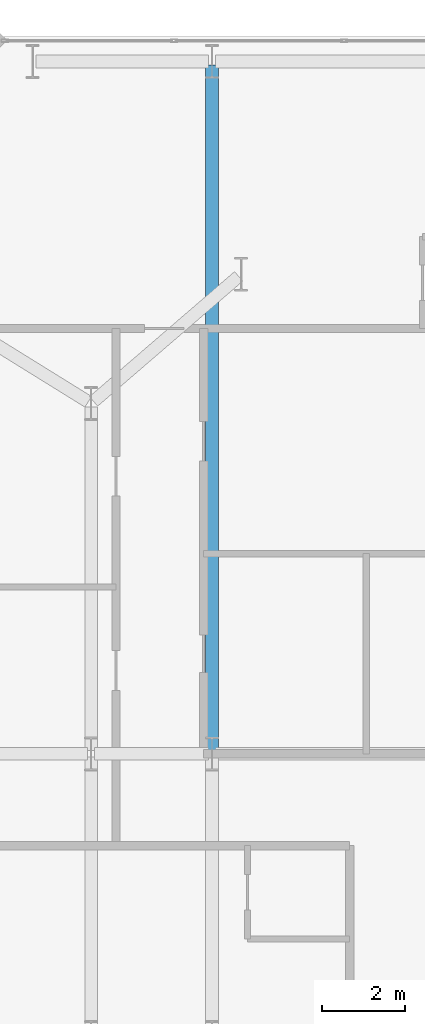
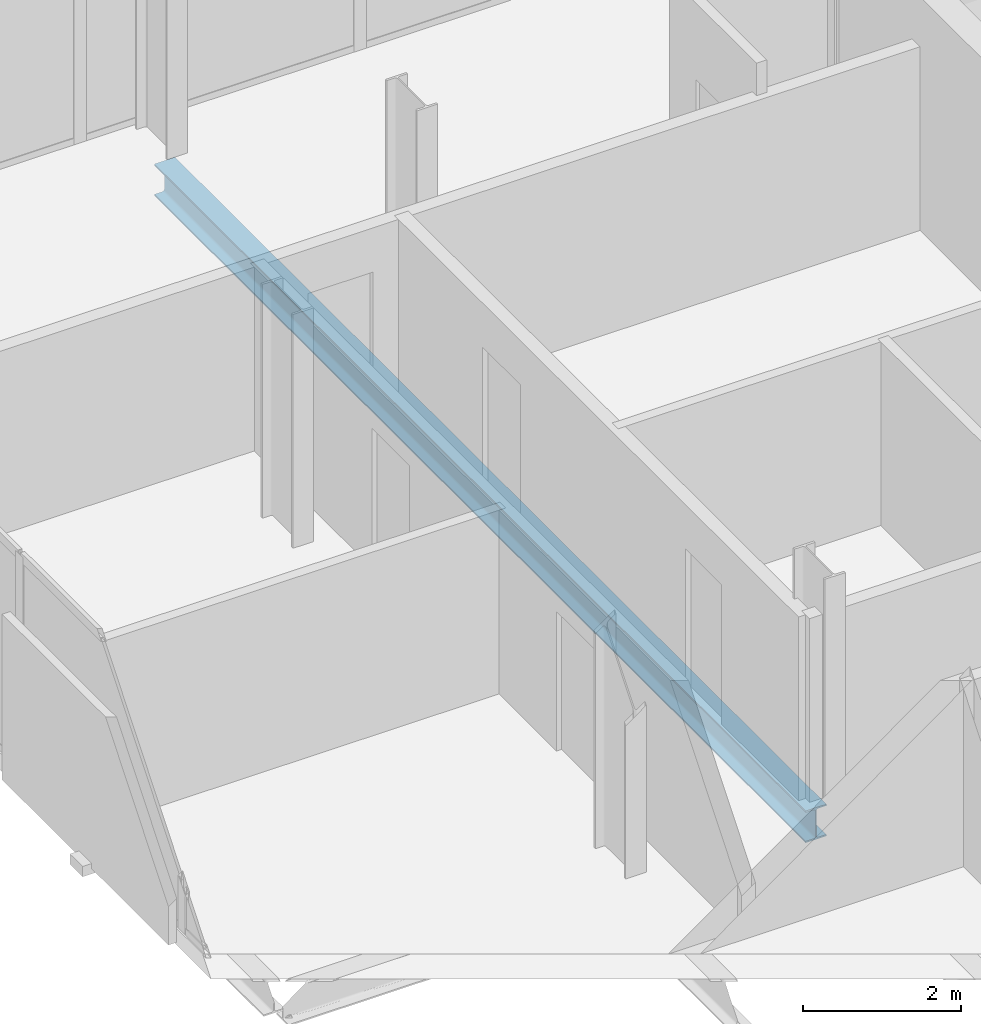
# One storey, part 18 of 32: 1 beam.
"""IFC4 building model written with IfcOpenShell, lengths in metres."""

from ifc_helpers import new_model, si_unit, direction, frame, origin, origin_2d, place, context, subcontext, project, spatial, i_section, extrude, material, material_profile, profile_set, type_object, element, save


model = new_model("IFC4")

# Units and contexts
model_context = context("Model", 3, precision=1e-05, world=origin(), true_north=direction((0.0, 1.0)))
body_context = subcontext(model_context, "Body", "Model", "MODEL_VIEW")
ifc_project = project(units=[si_unit("LENGTHUNIT", "METRE"), si_unit("AREAUNIT", "SQUARE_METRE"), si_unit("VOLUMEUNIT", "CUBIC_METRE"), si_unit("PLANEANGLEUNIT", "RADIAN"), si_unit("MASSUNIT", "GRAM", prefix="KILO")], contexts=[model_context])

# Site, building, storey
site_placement = place(None, origin())
site = spatial("IfcSite", under=ifc_project, at=site_placement, CompositionType="ELEMENT")
building_placement = place(site_placement, origin())
building = spatial("IfcBuilding", under=site, at=building_placement, Name="Catumbela Crestline Tower", CompositionType="ELEMENT")
storey_placement = place(building_placement, frame((0.0, 0.0, 69.0)))
storey = spatial("IfcBuildingStorey", under=building, at=storey_placement, Name="L17", CompositionType="ELEMENT", Elevation=69.0)

# Beam
ifc_material = material(Name="Structural steel S355J2", Category="steel")
ifc_material_profile = material_profile(ifc_material, i_section(OverallWidth=0.3, OverallDepth=0.49, WebThickness=0.012, FlangeThickness=0.023, FilletRadius=0.027, at=origin_2d()), Name="HEA 500")
ifc_profile_set = profile_set([ifc_material_profile], Name="Structural steel S355J2")
beam_type = type_object("IfcBeamType", Name="BG-HEA500", PredefinedType="BEAM", material=ifc_profile_set)
beam_placement = place(storey_placement, frame((8.5, 30.88, -0.505), z_axis=(0.0, 1.0, 0.0), x_axis=(-1.0, 0.0, 0.0)))
element("IfcBeam", 1, at=beam_placement, inside=storey, type_object=beam_type, Name="L17 Beam BM-L17-SN30", PredefinedType="BEAM", context=body_context, shape_type="SweptSolid", body=[
    extrude(i_section(OverallWidth=0.3, OverallDepth=0.49, WebThickness=0.012, FlangeThickness=0.023, FilletRadius=0.027, at=origin_2d()), origin(), (0.0, 0.0, 1.0), 16.44),
])

save(model, "model.ifc")
